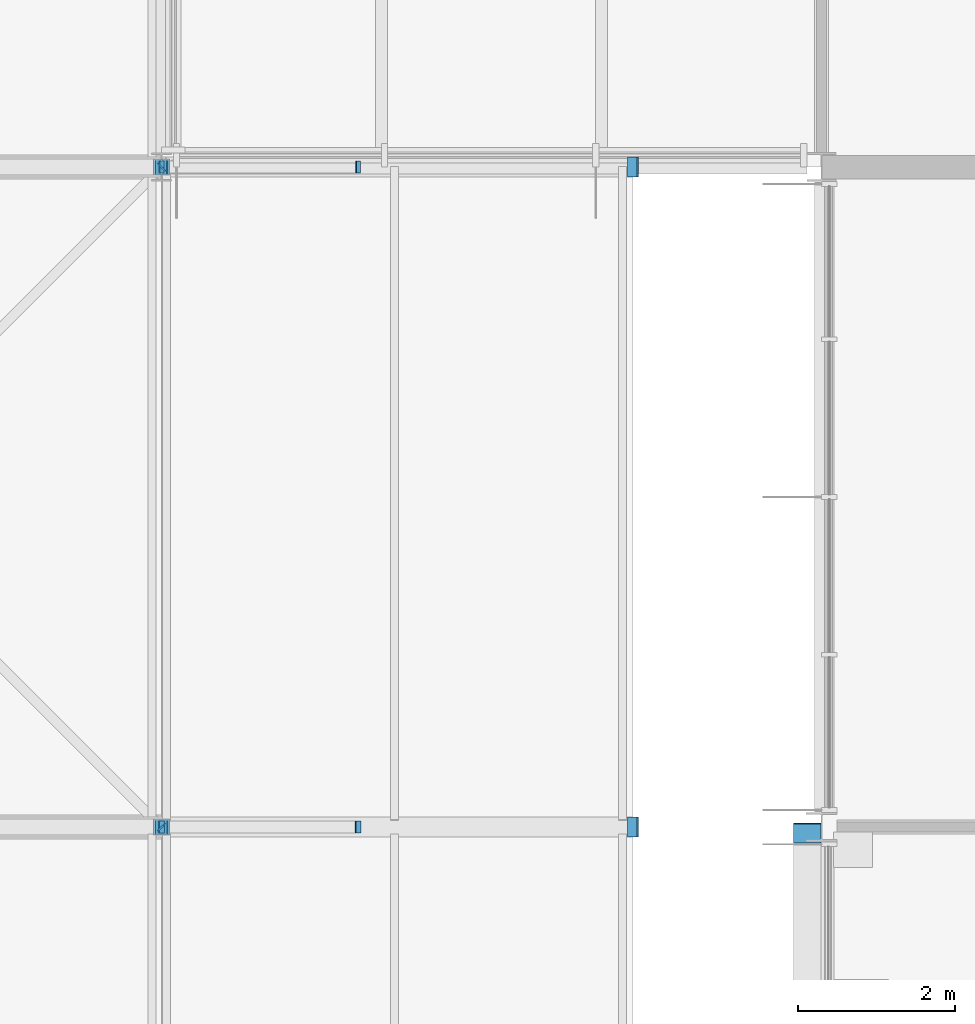
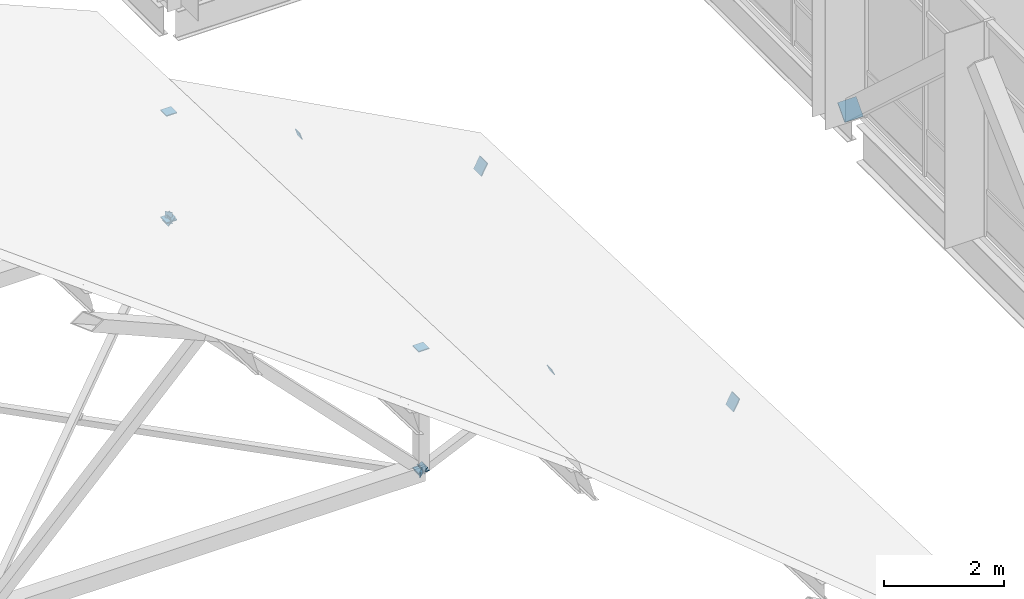
# One storey, part 58 of 76: 15 discrete accessories.
"""IFC4 building model written with IfcOpenShell, lengths in metres."""

import ifcopenshell
import ifcopenshell.guid

model = None  # the IFC model being written
_history = None  # IfcOwnerHistory: only IFC2X3 demands one
_inside = {}  # id of a spatial element -> (the spatial element, [elements in it])
_under = {}  # id of a project, library or spatial element -> (it, [spatial elements below it])
_declared = {}  # id of a project -> (the project, [libraries it declares])
_typed = {}  # id of a type object -> (the type object, [elements of that type])
_made_of = {}  # id of a material, layer set ... -> (it, [elements and type objects made of it])


def new_model(schema):
    """Start an empty IFC model of exactly this schema.

    Asked for "IFC4X3", IfcOpenShell would pick the latest addendum, in which some entities
    have other attributes; the version numbers below select the first issue.
    IFC2X3 requires an IfcOwnerHistory on every rooted entity: one is made here for all.
    """
    global model, _history
    if schema == "IFC4X3":
        model = ifcopenshell.file(schema_version=(4, 3, 0, 0))
    else:
        model = ifcopenshell.file(schema=schema)
    _inside.clear()
    _under.clear()
    _declared.clear()
    _typed.clear()
    _made_of.clear()
    _history = None
    if model.schema == "IFC2X3":
        org = make("IfcOrganization", Name="unknown")
        user = make(
            "IfcPersonAndOrganization",
            ThePerson=make("IfcPerson", FamilyName="unknown"),
            TheOrganization=org,
        )
        app = make(
            "IfcApplication",
            ApplicationDeveloper=org,
            Version="unknown",
            ApplicationFullName="unknown",
            ApplicationIdentifier="unknown",
        )
        _history = make(
            "IfcOwnerHistory",
            OwningUser=user,
            OwningApplication=app,
            ChangeAction="ADDED",
            CreationDate=0,
        )
    return model


def make(cls, **values):
    """One entity of the class cls with the attributes given. An attribute that is None is left unset."""
    return model.create_entity(
        cls, **{name: value for name, value in values.items() if value is not None}
    )


def rooted(cls, **values):
    """An entity with a GlobalId (a new one), such as an element, a storey or a relation."""
    return make(cls, GlobalId=ifcopenshell.guid.new(), OwnerHistory=_history, **values)


def si_unit(unit_type, name, prefix=None):
    """IfcSIUnit, for example si_unit("LENGTHUNIT", "METRE", prefix="MILLI")."""
    return make("IfcSIUnit", UnitType=unit_type, Prefix=prefix, Name=name)


def assignment(units):
    """IfcUnitAssignment: the units of a project."""
    return None if units is None else make("IfcUnitAssignment", Units=units)


def point(xyz):
    """IfcCartesianPoint."""
    return None if xyz is None else make("IfcCartesianPoint", Coordinates=xyz)


def direction(xyz):
    """IfcDirection."""
    return None if xyz is None else make("IfcDirection", DirectionRatios=xyz)


def frame(location, z_axis=None, x_axis=None):
    """IfcAxis2Placement3D, a coordinate frame: its origin and axes. An axis left out is left unset."""
    return make(
        "IfcAxis2Placement3D",
        Location=point(location),
        Axis=direction(z_axis),
        RefDirection=direction(x_axis),
    )


def frame_2d(location, x_axis=None):
    """IfcAxis2Placement2D, a coordinate frame in the plane: its origin and x axis."""
    return make(
        "IfcAxis2Placement2D", Location=point(location), RefDirection=direction(x_axis)
    )


def origin():
    """The frame at (0, 0, 0) with its axes left unset."""
    return frame((0.0, 0.0, 0.0))


def origin_2d():
    """The frame at (0, 0) in the plane with its x axis left unset."""
    return frame_2d((0.0, 0.0))


def place(relative_to, where):
    """IfcLocalPlacement: puts the frame where relative to a parent placement (None: the world)."""
    return make(
        "IfcLocalPlacement", PlacementRelTo=relative_to, RelativePlacement=where
    )


def context(
    kind, dimensions, precision=None, world=None, true_north=None, identifier=None
):
    """IfcGeometricRepresentationContext, for example the 3D "Model" context."""
    return make(
        "IfcGeometricRepresentationContext",
        ContextIdentifier=identifier,
        ContextType=kind,
        CoordinateSpaceDimension=dimensions,
        Precision=precision,
        WorldCoordinateSystem=world,
        TrueNorth=true_north,
    )


def subcontext(parent, identifier, kind, view, scale=None):
    """IfcGeometricRepresentationSubContext, for example "Body" below "Model"."""
    return make(
        "IfcGeometricRepresentationSubContext",
        ContextIdentifier=identifier,
        ContextType=kind,
        ParentContext=parent,
        TargetScale=scale,
        TargetView=view,
    )


def project(units=None, contexts=None):
    """IfcProject with its units and contexts."""
    return rooted(
        "IfcProject",
        Name="project",
        RepresentationContexts=contexts,
        UnitsInContext=assignment(units),
    )


def spatial(cls, under=None, at=None, **own):
    """A site, building, storey or space (cls), placed at a placement, below another one or the project."""
    s = rooted(cls, ObjectPlacement=at, **own)
    if under is not None:
        _under.setdefault(under.id(), (under, []))[1].append(s)
    return s


def profile(cls, at=None, kind="AREA", **sizes):
    """A parametric profile (cls). Its sizes go by their IFC names, for example OverallWidth=200.0."""
    return make(cls, ProfileType=kind, Position=at, **sizes)


def rectangle(**sizes):
    """IfcRectangleProfileDef."""
    return profile("IfcRectangleProfileDef", **sizes)


def extrude(swept, where, along, depth):
    """IfcExtrudedAreaSolid: the profile swept, set in the frame where, extruded along a direction by depth."""
    return make(
        "IfcExtrudedAreaSolid",
        SweptArea=swept,
        Position=where,
        ExtrudedDirection=direction(along),
        Depth=depth,
    )


def shape(context_of_items, identifier, shape_type, items):
    """IfcShapeRepresentation: the items that make up one representation, for example the "Body"."""
    return make(
        "IfcShapeRepresentation",
        ContextOfItems=context_of_items,
        RepresentationIdentifier=identifier,
        RepresentationType=shape_type,
        Items=items,
    )


def material(Name=None, Category=None):
    """IfcMaterial."""
    return make("IfcMaterial", Name=Name, Category=Category)


def made_of(thing, what):
    """Note that an element or type object is made of a material, layer set ...; save() writes the relation."""
    if what is not None:
        _made_of.setdefault(what.id(), (what, []))[1].append(thing)
    return thing


def element(
    cls,
    number,
    at=None,
    inside=None,
    cuts=None,
    type_object=None,
    material=None,
    context=None,
    identifier="Body",
    shape_type=None,
    held_by="IfcProductDefinitionShape",
    body=None,
    shapes=None,
    **own,
):
    """One element of the class cls, such as IfcWall. Its Tag is "e" and its number.

    at: its placement. inside: the storey or other place that contains it. cuts: it is an
    opening in that element (IfcRelVoidsElement). A single representation is given by context,
    identifier, shape_type and body (its items); several are given by shapes. held_by: the class
    of the entity that holds the representations. save() writes the other relations.
    """
    e = rooted(cls, Tag="e%d" % number, ObjectPlacement=at, **own)
    if body is not None:
        shapes = [shape(context, identifier, shape_type, body)]
    if shapes is not None:
        e.Representation = make(held_by, Representations=shapes)
    if inside is not None:
        _inside.setdefault(inside.id(), (inside, []))[1].append(e)
    if cuts is not None:
        rooted(
            "IfcRelVoidsElement", RelatingBuildingElement=cuts, RelatedOpeningElement=e
        )
    if type_object is not None:
        _typed.setdefault(type_object.id(), (type_object, []))[1].append(e)
    return made_of(e, material)


def aggregate(whole, parts):
    """IfcRelAggregates: a whole, such as a stair, and the parts it consists of."""
    return rooted("IfcRelAggregates", RelatingObject=whole, RelatedObjects=parts)


def save(model, path):
    """Write the relations noted so far, then the file.

    IfcRelAggregates (storeys below a building ...), IfcRelContainedInSpatialStructure (elements
    in a storey), IfcRelDefinesByType, IfcRelAssociatesMaterial and IfcRelDeclares: one each for
    every whole, place, type object, material and project.
    """
    for whole, parts in _under.values():
        aggregate(whole, parts)
    for where, things in _inside.values():
        rooted(
            "IfcRelContainedInSpatialStructure",
            RelatedElements=things,
            RelatingStructure=where,
        )
    for kind, things in _typed.values():
        rooted("IfcRelDefinesByType", RelatedObjects=things, RelatingType=kind)
    for what, things in _made_of.values():
        rooted("IfcRelAssociatesMaterial", RelatedObjects=things, RelatingMaterial=what)
    for by, libraries in _declared.values():
        rooted("IfcRelDeclares", RelatingContext=by, RelatedDefinitions=libraries)
    model.write(path)


model = new_model("IFC4")

# Units and contexts
model_context = context("Model", 3, precision=1e-05, world=origin(), true_north=direction((0.0, 1.0)))
body_context = subcontext(model_context, "Body", "Model", "MODEL_VIEW")
ifc_project = project(units=[si_unit("LENGTHUNIT", "METRE"), si_unit("AREAUNIT", "SQUARE_METRE"), si_unit("VOLUMEUNIT", "CUBIC_METRE"), si_unit("PLANEANGLEUNIT", "RADIAN"), si_unit("MASSUNIT", "GRAM", prefix="KILO")], contexts=[model_context])

# Site, building, storey
site_placement = place(None, origin())
site = spatial("IfcSite", under=ifc_project, at=site_placement, CompositionType="ELEMENT")
building_placement = place(site_placement, origin())
building = spatial("IfcBuilding", under=site, at=building_placement, Name="Hlaing Beacon Police Headquarters", CompositionType="ELEMENT")
storey_placement = place(building_placement, frame((0.0, 0.0, 18.89990234375)))
storey = spatial("IfcBuildingStorey", under=building, at=storey_placement, Name="L04", CompositionType="ELEMENT", Elevation=18.89990234375)

# Discrete accessories
ifc_material = material(Name="Steel ASTM A572 Grade 50", Category="steel")
discrete_accessory_1_placement = place(storey_placement, frame((100.6181640625, 58.7197265625, 0.137939453125), z_axis=(0.0, 0.738446730342, -0.674311816927), x_axis=(-1.0, 0.0, 0.0)))
element("IfcDiscreteAccessory", 1, at=discrete_accessory_1_placement, inside=storey, material=ifc_material, Name="Gusset plate GP-055", PredefinedType="BRACKET", context=body_context, shape_type="SweptSolid", body=[
    extrude(rectangle(XDim=0.355712890625, YDim=0.355712890625, at=origin_2d()), origin(), (0.0, 0.0, 1.0), 0.02001953125),
])
for number, where, z_axis, x_axis, name in (
    (2, (92.39990234375, 58.800048828125, -4.33740234375), (0.0, 0.0, -1.0), (1.0, 0.0, 0.0), "Gusset plate GP-331"),
    (3, (92.39990234375, 58.800048828125, -1.87939453125), (0.0, 0.0, 1.0), (1.0, 0.0, 0.0), "Gusset plate GP-332"),
):
    element("IfcDiscreteAccessory", number, at=place(storey_placement, frame(where, z_axis=z_axis, x_axis=x_axis)), inside=storey, material=ifc_material, Name=name, PredefinedType="BRACKET", context=body_context, shape_type="SweptSolid", body=[
        extrude(rectangle(XDim=0.203125, YDim=0.203125, at=origin_2d()), origin(), (0.0, 0.0, 1.0), 0.02001953125),
    ])
discrete_accessory_2_placement = place(storey_placement, frame((92.394287109375, 58.800048828125, -4.341552734375), z_axis=(0.699584566608, 0.0, -0.714549812234), x_axis=(0.0, 1.0, 0.0)))
element("IfcDiscreteAccessory", 4, at=discrete_accessory_2_placement, inside=storey, material=ifc_material, Name="Gusset plate GP-348", PredefinedType="BRACKET", context=body_context, shape_type="SweptSolid", body=[
    extrude(rectangle(XDim=0.203125, YDim=0.203125, at=origin_2d()), origin(), (0.0, 0.0, 1.0), 0.01611328125),
])
for number, where, z_axis, x_axis, name in (
    (5, (92.4072265625, 58.800048828125, -4.343994140625), (-0.909882017807, 0.0, -0.414867103627), (0.0, -1.0, 0.0), "Gusset plate GP-351"),
    (6, (94.892578125, 58.800048828125, -3.2109375), (0.909882017807, 0.0, 0.414867103627), (0.0, 1.0, 0.0), "Gusset plate GP-352"),
):
    element("IfcDiscreteAccessory", number, at=place(storey_placement, frame(where, z_axis=z_axis, x_axis=x_axis)), inside=storey, material=ifc_material, Name=name, PredefinedType="BRACKET", context=body_context, shape_type="SweptSolid", body=[
        extrude(rectangle(XDim=0.15234375, YDim=0.15234375, at=origin_2d()), origin(), (0.0, 0.0, 1.0), 0.01611328125),
    ])
for number, where, z_axis, x_axis, name in (
    (7, (92.39990234375, 67.199951171875, -4.33740234375), (0.0, 0.0, -1.0), (1.0, 0.0, 0.0), "Gusset plate GP-361"),
    (8, (92.39990234375, 67.199951171875, -2.17919921875), (0.0, 0.0, 1.0), (1.0, 0.0, 0.0), "Gusset plate GP-362"),
):
    element("IfcDiscreteAccessory", number, at=place(storey_placement, frame(where, z_axis=z_axis, x_axis=x_axis)), inside=storey, material=ifc_material, Name=name, PredefinedType="BRACKET", context=body_context, shape_type="SweptSolid", body=[
        extrude(rectangle(XDim=0.203125, YDim=0.203125, at=origin_2d()), origin(), (0.0, 0.0, 1.0), 0.02001953125),
    ])
discrete_accessory_3_placement = place(storey_placement, frame((92.39404296875, 67.199951171875, -4.342041015625), z_axis=(0.725017321361, 0.0, -0.688730632197), x_axis=(0.0, 1.0, 0.0)))
element("IfcDiscreteAccessory", 9, at=discrete_accessory_3_placement, inside=storey, material=ifc_material, Name="Gusset plate GP-378", PredefinedType="BRACKET", context=body_context, shape_type="SweptSolid", body=[
    extrude(rectangle(XDim=0.203125, YDim=0.203125, at=origin_2d()), origin(), (0.0, 0.0, 1.0), 0.01611328125),
])
for number, where, z_axis, x_axis, name in (
    (10, (92.407470703125, 67.199951171875, -4.344970703125), (-0.947940118274, 0.0, -0.318448633483), (0.0, -1.0, 0.0), "Gusset plate GP-381"),
    (11, (94.892333984375, 67.199951171875, -3.51025390625), (0.947940118274, 0.0, 0.318448633483), (0.0, 1.0, 0.0), "Gusset plate GP-382"),
):
    element("IfcDiscreteAccessory", number, at=place(storey_placement, frame(where, z_axis=z_axis, x_axis=x_axis)), inside=storey, material=ifc_material, Name=name, PredefinedType="BRACKET", context=body_context, shape_type="SweptSolid", body=[
        extrude(rectangle(XDim=0.15234375, YDim=0.15234375, at=origin_2d()), origin(), (0.0, 0.0, 1.0), 0.01611328125),
    ])
for number, where, z_axis, x_axis, name in (
    (12, (92.3955078125, 67.195556640625, -4.27392578125), (0.707106781187, 0.707106781187, 0.0), (-0.707106781187, 0.707106781187, 0.0), "Gusset plate GP-412"),
    (13, (92.3955078125, 58.804443359375, -4.4208984375), (0.707106781187, -0.707106781187, 0.0), (0.707106781187, 0.707106781187, 0.0), "Gusset plate GP-414"),
):
    element("IfcDiscreteAccessory", number, at=place(storey_placement, frame(where, z_axis=z_axis, x_axis=x_axis)), inside=storey, material=ifc_material, Name=name, PredefinedType="BRACKET", context=body_context, shape_type="SweptSolid", body=[
        extrude(rectangle(XDim=0.126953125, YDim=0.126953125, at=origin_2d()), origin(), (0.0, 0.0, 1.0), 0.011962890625),
    ])
for number, where, z_axis, x_axis, name in (
    (14, (98.39111328125, 58.800048828125, -5.076171875), (0.881654838355, 0.0, -0.471894846343), (0.0, 1.0, 0.0), "Chord end plate CE-007"),
    (15, (98.39111328125, 67.199951171875, -5.376220703125), (0.881639912586, 0.0, -0.47192273153), (0.0, 1.0, 0.0), "Chord end plate CE-009"),
):
    element("IfcDiscreteAccessory", number, at=place(storey_placement, frame(where, z_axis=z_axis, x_axis=x_axis)), inside=storey, material=ifc_material, Name=name, PredefinedType="BRACKET", context=body_context, shape_type="SweptSolid", body=[
        extrude(rectangle(XDim=0.25390625, YDim=0.25390625, at=origin_2d()), origin(), (0.0, 0.0, 1.0), 0.02001953125),
    ])

save(model, "model.ifc")
